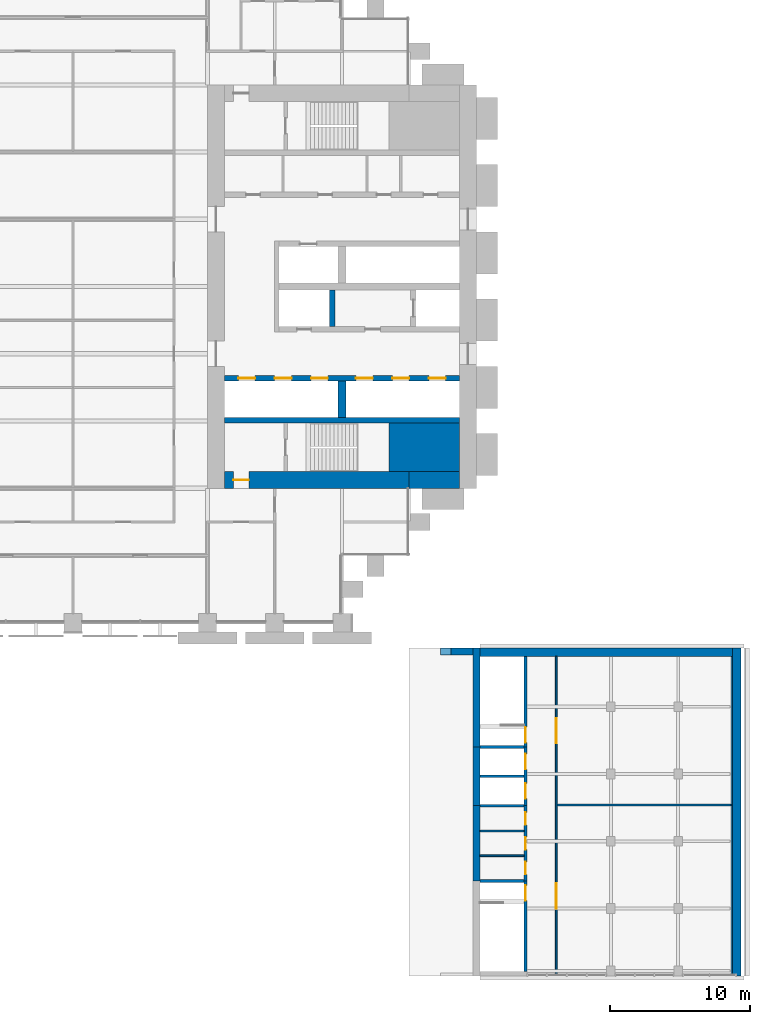
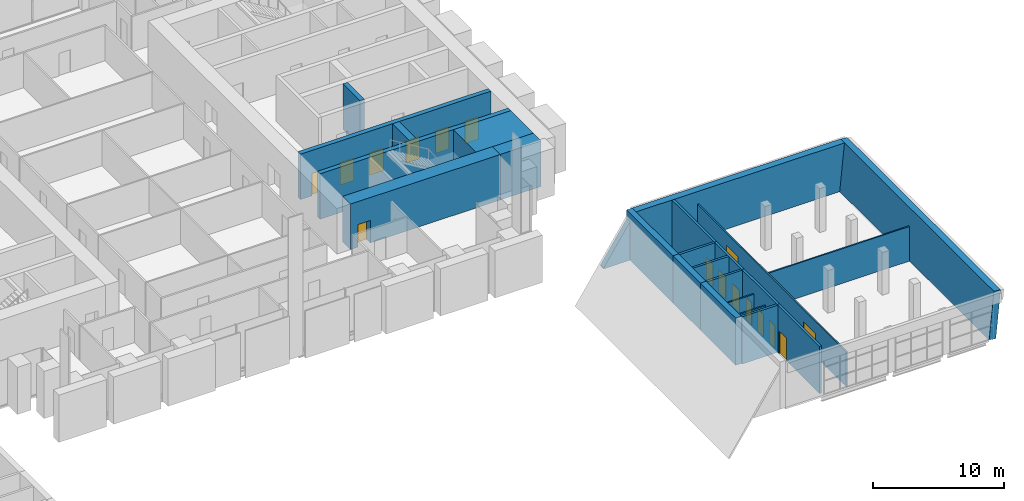
# One storey, part 19 of 22: 25 walls, 16 doors, 16 openings.
"""IFC4 building model written with IfcOpenShell, lengths in metres."""

import ifcopenshell
import ifcopenshell.guid

model = None  # the IFC model being written
_history = None  # IfcOwnerHistory: only IFC2X3 demands one
_inside = {}  # id of a spatial element -> (the spatial element, [elements in it])
_under = {}  # id of a project, library or spatial element -> (it, [spatial elements below it])
_declared = {}  # id of a project -> (the project, [libraries it declares])
_typed = {}  # id of a type object -> (the type object, [elements of that type])
_made_of = {}  # id of a material, layer set ... -> (it, [elements and type objects made of it])


def new_model(schema):
    """Start an empty IFC model of exactly this schema.

    Asked for "IFC4X3", IfcOpenShell would pick the latest addendum, in which some entities
    have other attributes; the version numbers below select the first issue.
    IFC2X3 requires an IfcOwnerHistory on every rooted entity: one is made here for all.
    """
    global model, _history
    if schema == "IFC4X3":
        model = ifcopenshell.file(schema_version=(4, 3, 0, 0))
    else:
        model = ifcopenshell.file(schema=schema)
    _inside.clear()
    _under.clear()
    _declared.clear()
    _typed.clear()
    _made_of.clear()
    _history = None
    if model.schema == "IFC2X3":
        org = make("IfcOrganization", Name="unknown")
        user = make(
            "IfcPersonAndOrganization",
            ThePerson=make("IfcPerson", FamilyName="unknown"),
            TheOrganization=org,
        )
        app = make(
            "IfcApplication",
            ApplicationDeveloper=org,
            Version="unknown",
            ApplicationFullName="unknown",
            ApplicationIdentifier="unknown",
        )
        _history = make(
            "IfcOwnerHistory",
            OwningUser=user,
            OwningApplication=app,
            ChangeAction="ADDED",
            CreationDate=0,
        )
    return model


def make(cls, **values):
    """One entity of the class cls with the attributes given. An attribute that is None is left unset."""
    return model.create_entity(
        cls, **{name: value for name, value in values.items() if value is not None}
    )


def rooted(cls, **values):
    """An entity with a GlobalId (a new one), such as an element, a storey or a relation."""
    return make(cls, GlobalId=ifcopenshell.guid.new(), OwnerHistory=_history, **values)


def si_unit(unit_type, name, prefix=None):
    """IfcSIUnit, for example si_unit("LENGTHUNIT", "METRE", prefix="MILLI")."""
    return make("IfcSIUnit", UnitType=unit_type, Prefix=prefix, Name=name)


def assignment(units):
    """IfcUnitAssignment: the units of a project."""
    return None if units is None else make("IfcUnitAssignment", Units=units)


def point(xyz):
    """IfcCartesianPoint."""
    return None if xyz is None else make("IfcCartesianPoint", Coordinates=xyz)


def direction(xyz):
    """IfcDirection."""
    return None if xyz is None else make("IfcDirection", DirectionRatios=xyz)


def frame(location, z_axis=None, x_axis=None):
    """IfcAxis2Placement3D, a coordinate frame: its origin and axes. An axis left out is left unset."""
    return make(
        "IfcAxis2Placement3D",
        Location=point(location),
        Axis=direction(z_axis),
        RefDirection=direction(x_axis),
    )


def frame_2d(location, x_axis=None):
    """IfcAxis2Placement2D, a coordinate frame in the plane: its origin and x axis."""
    return make(
        "IfcAxis2Placement2D", Location=point(location), RefDirection=direction(x_axis)
    )


def origin():
    """The frame at (0, 0, 0) with its axes left unset."""
    return frame((0.0, 0.0, 0.0))


def place(relative_to, where):
    """IfcLocalPlacement: puts the frame where relative to a parent placement (None: the world)."""
    return make(
        "IfcLocalPlacement", PlacementRelTo=relative_to, RelativePlacement=where
    )


def context(
    kind, dimensions, precision=None, world=None, true_north=None, identifier=None
):
    """IfcGeometricRepresentationContext, for example the 3D "Model" context."""
    return make(
        "IfcGeometricRepresentationContext",
        ContextIdentifier=identifier,
        ContextType=kind,
        CoordinateSpaceDimension=dimensions,
        Precision=precision,
        WorldCoordinateSystem=world,
        TrueNorth=true_north,
    )


def subcontext(parent, identifier, kind, view, scale=None):
    """IfcGeometricRepresentationSubContext, for example "Body" below "Model"."""
    return make(
        "IfcGeometricRepresentationSubContext",
        ContextIdentifier=identifier,
        ContextType=kind,
        ParentContext=parent,
        TargetScale=scale,
        TargetView=view,
    )


def project(units=None, contexts=None):
    """IfcProject with its units and contexts."""
    return rooted(
        "IfcProject",
        Name="project",
        RepresentationContexts=contexts,
        UnitsInContext=assignment(units),
    )


def spatial(cls, under=None, at=None, **own):
    """A site, building, storey or space (cls), placed at a placement, below another one or the project."""
    s = rooted(cls, ObjectPlacement=at, **own)
    if under is not None:
        _under.setdefault(under.id(), (under, []))[1].append(s)
    return s


def polyline(points):
    """IfcPolyline through the points."""
    return make("IfcPolyline", Points=[point(p) for p in points])


def profile(cls, at=None, kind="AREA", **sizes):
    """A parametric profile (cls). Its sizes go by their IFC names, for example OverallWidth=200.0."""
    return make(cls, ProfileType=kind, Position=at, **sizes)


def rectangle(**sizes):
    """IfcRectangleProfileDef."""
    return profile("IfcRectangleProfileDef", **sizes)


def outline(outer, holes=None, kind="AREA"):
    """IfcArbitraryClosedProfileDef: a profile drawn as a closed curve; with holes, ...WithVoids."""
    if holes is None:
        return make("IfcArbitraryClosedProfileDef", ProfileType=kind, OuterCurve=outer)
    return make(
        "IfcArbitraryProfileDefWithVoids",
        ProfileType=kind,
        OuterCurve=outer,
        InnerCurves=holes,
    )


def extrude(swept, where, along, depth):
    """IfcExtrudedAreaSolid: the profile swept, set in the frame where, extruded along a direction by depth."""
    return make(
        "IfcExtrudedAreaSolid",
        SweptArea=swept,
        Position=where,
        ExtrudedDirection=direction(along),
        Depth=depth,
    )


def shape(context_of_items, identifier, shape_type, items):
    """IfcShapeRepresentation: the items that make up one representation, for example the "Body"."""
    return make(
        "IfcShapeRepresentation",
        ContextOfItems=context_of_items,
        RepresentationIdentifier=identifier,
        RepresentationType=shape_type,
        Items=items,
    )


def material(Name=None, Category=None):
    """IfcMaterial."""
    return make("IfcMaterial", Name=Name, Category=Category)


def layer(
    of_material, thickness, ventilated=None, Name=None, Category=None, Priority=None
):
    """IfcMaterialLayer: one layer of a wall or slab, of a material (None: an air gap)."""
    return make(
        "IfcMaterialLayer",
        Material=of_material,
        LayerThickness=thickness,
        IsVentilated=ventilated,
        Name=Name,
        Category=Category,
        Priority=Priority,
    )


def layer_set(layers, Name=None):
    """IfcMaterialLayerSet."""
    return make("IfcMaterialLayerSet", MaterialLayers=layers, LayerSetName=Name)


def made_of(thing, what):
    """Note that an element or type object is made of a material, layer set ...; save() writes the relation."""
    if what is not None:
        _made_of.setdefault(what.id(), (what, []))[1].append(thing)
    return thing


def type_object(cls, material=None, **own):
    """A type object (cls), such as IfcWallType, which elements share."""
    return made_of(rooted(cls, **own), material)


def element(
    cls,
    number,
    at=None,
    inside=None,
    cuts=None,
    type_object=None,
    material=None,
    context=None,
    identifier="Body",
    shape_type=None,
    held_by="IfcProductDefinitionShape",
    body=None,
    shapes=None,
    **own,
):
    """One element of the class cls, such as IfcWall. Its Tag is "e" and its number.

    at: its placement. inside: the storey or other place that contains it. cuts: it is an
    opening in that element (IfcRelVoidsElement). A single representation is given by context,
    identifier, shape_type and body (its items); several are given by shapes. held_by: the class
    of the entity that holds the representations. save() writes the other relations.
    """
    e = rooted(cls, Tag="e%d" % number, ObjectPlacement=at, **own)
    if body is not None:
        shapes = [shape(context, identifier, shape_type, body)]
    if shapes is not None:
        e.Representation = make(held_by, Representations=shapes)
    if inside is not None:
        _inside.setdefault(inside.id(), (inside, []))[1].append(e)
    if cuts is not None:
        rooted(
            "IfcRelVoidsElement", RelatingBuildingElement=cuts, RelatedOpeningElement=e
        )
    if type_object is not None:
        _typed.setdefault(type_object.id(), (type_object, []))[1].append(e)
    return made_of(e, material)


def fill(opening, filler):
    """IfcRelFillsElement: the door or window that sits in an opening."""
    return rooted(
        "IfcRelFillsElement",
        RelatingOpeningElement=opening,
        RelatedBuildingElement=filler,
    )


def aggregate(whole, parts):
    """IfcRelAggregates: a whole, such as a stair, and the parts it consists of."""
    return rooted("IfcRelAggregates", RelatingObject=whole, RelatedObjects=parts)


def save(model, path):
    """Write the relations noted so far, then the file.

    IfcRelAggregates (storeys below a building ...), IfcRelContainedInSpatialStructure (elements
    in a storey), IfcRelDefinesByType, IfcRelAssociatesMaterial and IfcRelDeclares: one each for
    every whole, place, type object, material and project.
    """
    for whole, parts in _under.values():
        aggregate(whole, parts)
    for where, things in _inside.values():
        rooted(
            "IfcRelContainedInSpatialStructure",
            RelatedElements=things,
            RelatingStructure=where,
        )
    for kind, things in _typed.values():
        rooted("IfcRelDefinesByType", RelatedObjects=things, RelatingType=kind)
    for what, things in _made_of.values():
        rooted("IfcRelAssociatesMaterial", RelatedObjects=things, RelatingMaterial=what)
    for by, libraries in _declared.values():
        rooted("IfcRelDeclares", RelatingContext=by, RelatedDefinitions=libraries)
    model.write(path)


model = new_model("IFC4")

# Units and contexts
model_context = context("Model", 3, precision=1e-05, world=origin(), true_north=direction((0.0, 1.0)))
body_context = subcontext(model_context, "Body", "Model", "MODEL_VIEW")
ifc_project = project(units=[si_unit("LENGTHUNIT", "METRE"), si_unit("AREAUNIT", "SQUARE_METRE"), si_unit("VOLUMEUNIT", "CUBIC_METRE"), si_unit("PLANEANGLEUNIT", "RADIAN"), si_unit("MASSUNIT", "GRAM", prefix="KILO")], contexts=[model_context])

# Site, building, storey
site_placement = place(None, origin())
site = spatial("IfcSite", under=ifc_project, at=site_placement, CompositionType="ELEMENT")
building_placement = place(site_placement, origin())
building = spatial("IfcBuilding", under=site, at=building_placement, Name="Baori Bourse Tower", CompositionType="ELEMENT")
storey_placement = place(building_placement, frame((0.0, 0.0, 25.800048828125)))
storey = spatial("IfcBuildingStorey", under=building, at=storey_placement, Name="L04", CompositionType="ELEMENT", Elevation=25.800048828125)

# Walls
ifc_material_1 = material(Name="Concrete f'c 70 MPa", Category="concrete")
wall_type_1 = type_object("IfcWallType", Name="Core corner block f'c 70", PredefinedType="SHEAR", material=ifc_material_1)
wall_1_placement = place(storey_placement, frame((51.35009765625, 12.52490234375, 0.0), z_axis=(0.0, 0.0, 1.0), x_axis=(1.0, 0.0, 0.0)))
element("IfcWall", 1, at=wall_1_placement, inside=storey, type_object=wall_type_1, Name="Core wall E05", PredefinedType="SHEAR", context=body_context, shape_type="SweptSolid", body=[
    extrude(rectangle(XDim=5.0498046875, YDim=3.449951171875, at=frame_2d((2.52490234375, 0.0))), origin(), (0.0, 0.0, 1.0), 4.239990234375),
])
ifc_material_2 = material(Name="Concrete f'c 70 MPa", Category="concrete")
ifc_layer_1 = layer(ifc_material_2, 1.199951171875)
ifc_layer_set_1 = layer_set([ifc_layer_1], Name="Core wall 1200 f'c 70")
wall_type_2 = type_object("IfcWallType", Name="Core wall 1200 f'c 70", PredefinedType="SHEAR", material=ifc_layer_set_1)
wall_2_placement = place(storey_placement, frame((56.39990234375, 10.199951171875, 0.0), z_axis=(0.0, 0.0, 1.0), x_axis=(-1.0, 0.0, 0.0)))
element("IfcWall", 2, at=wall_2_placement, inside=storey, type_object=wall_type_2, Name="Core wall E02", PredefinedType="SHEAR", context=body_context, shape_type="SweptSolid", body=[
    extrude(rectangle(XDim=3.599853515625, YDim=1.199951171875, at=frame_2d((1.7998046875, 0.0))), origin(), (0.0, 0.0, 1.0), 4.239990234375),
])

# Wall, opening, door
wall_3_placement = place(storey_placement, frame((52.800048828125, 10.199951171875, 0.0), z_axis=(0.0, 0.0, 1.0), x_axis=(-1.0, 0.0, 0.0)))
wall_3 = element("IfcWall", 3, at=wall_3_placement, inside=storey, type_object=wall_type_2, Name="Core wall E03", PredefinedType="SHEAR", context=body_context, shape_type="SweptSolid", body=[
    extrude(rectangle(XDim=13.199951171875, YDim=1.199951171875, at=frame_2d((6.60009765625, 0.0))), origin(), (0.0, 0.0, 1.0), 4.239990234375),
])
opening_1_placement = place(wall_3_placement, frame((11.449951171875, 0.0, 0.0)))
opening_1 = element("IfcOpeningElement", 4, at=opening_1_placement, cuts=wall_3, Name="Opening L04-D202", PredefinedType="OPENING", context=body_context, shape_type="SweptSolid", body=[
    extrude(rectangle(XDim=1.10009765625, YDim=2.10009765625, at=frame_2d((0.550048828125, 1.050048828125))), frame((0.0, 0.60986328125, 0.0), z_axis=(0.0, -1.0, 0.0), x_axis=(1.0, 0.0, 0.0)), (0.0, 0.0, 1.0), 1.219970703125),
])
ifc_material_3 = material(Name="Painted steel door", Category="steel")
door_type_1 = type_object("IfcDoorType", Name="Stair door 1100", OperationType="SINGLE_SWING_LEFT", PredefinedType="DOOR", material=ifc_material_3)
door_1_placement = place(opening_1_placement, origin())
door_1 = element("IfcDoor", 5, at=door_1_placement, inside=storey, type_object=door_type_1, Name="Stair vestibule door A E L04", OperationType="SINGLE_SWING_LEFT", OverallHeight=2.10009765625, OverallWidth=1.10009765625, PredefinedType="DOOR", context=body_context, shape_type="SweptSolid", body=[
    extrude(rectangle(XDim=1.10009765625, YDim=2.10009765625, at=frame_2d((0.550048828125, 1.050048828125))), frame((0.0, 0.02490234375, 0.0), z_axis=(0.0, -1.0, 0.0), x_axis=(1.0, 0.0, 0.0)), (0.0, 0.0, 1.0), 0.050048828125),
])
fill(opening_1, door_1)

# Walls
ifc_material_4 = material(Name="Concrete f'c 50 MPa", Category="concrete")
ifc_layer_2 = layer(ifc_material_4, 0.5)
ifc_layer_set_2 = layer_set([ifc_layer_2], Name="Hall end wall 500")
wall_type_3 = type_object("IfcWallType", Name="Hall end wall 500", PredefinedType="SOLIDWALL", material=ifc_layer_set_2)
wall_4_placement = place(storey_placement, frame((57.60009765625, -1.800048828125, 0.0), z_axis=(0.0, 0.0, 1.0), x_axis=(0.0, -1.0, 0.0)))
element("IfcWall", 6, at=wall_4_placement, inside=storey, type_object=wall_type_3, Name="wing/L04/Ehallwall/001", PredefinedType="SOLIDWALL", context=body_context, shape_type="SweptSolid", body=[
    extrude(rectangle(XDim=7.06005859375, YDim=0.5, at=frame_2d((3.530029296875, 0.0))), origin(), (0.0, 0.0, 1.0), 4.39990234375),
])
wall_5_placement = place(storey_placement, frame((57.60009765625, -8.860107421875, 0.0), z_axis=(0.0, 0.0, 1.0), x_axis=(0.0, -1.0, 0.0)))
element("IfcWall", 7, at=wall_5_placement, inside=storey, type_object=wall_type_3, Name="wing/L04/Ehallwall/002", PredefinedType="SOLIDWALL", context=body_context, shape_type="SweptSolid", body=[
    extrude(rectangle(XDim=4.199951171875, YDim=0.5, at=frame_2d((2.10009765625, 0.0))), origin(), (0.0, 0.0, 1.0), 4.39990234375),
])
wall_6_placement = place(storey_placement, frame((57.60009765625, -13.06005859375, 0.0), z_axis=(0.0, 0.0, 1.0), x_axis=(0.0, -1.0, 0.0)))
element("IfcWall", 8, at=wall_6_placement, inside=storey, type_object=wall_type_3, Name="wing/L04/Ehallwall/003", PredefinedType="SOLIDWALL", context=body_context, shape_type="SweptSolid", body=[
    extrude(rectangle(XDim=5.3798828125, YDim=0.5, at=frame_2d((2.68994140625, 0.0))), origin(), (0.0, 0.0, 1.0), 4.39990234375),
])
ifc_material_5 = material(Name="Concrete f'c 50 MPa", Category="concrete")
ifc_layer_3 = layer(ifc_material_5, 0.5)
ifc_layer_set_3 = layer_set([ifc_layer_3], Name="Hall north wall 500")
wall_type_4 = type_object("IfcWallType", Name="Hall north wall 500", PredefinedType="SOLIDWALL", material=ifc_layer_set_3)
wall_7_placement = place(storey_placement, frame((55.0390625, -2.050048828125, 0.0), z_axis=(0.0, 0.0, 1.0), x_axis=(1.0, 0.0, 0.0)))
element("IfcWall", 9, at=wall_7_placement, inside=storey, type_object=wall_type_4, Name="wing/L04/hallnorth/002", PredefinedType="SOLIDWALL", context=body_context, shape_type="SweptSolid", body=[
    extrude(outline(polyline([(0.0, 0.0), (2.31103515625, 0.0), (2.31103515625, 3.578369140625), (0.0, 0.099853515625), (0.0, 0.0)])), frame((0.0, 0.25, 0.0), z_axis=(0.0, -1.0, 0.0), x_axis=(1.0, 0.0, 0.0)), (0.0, 0.0, 1.0), 0.5),
])
ifc_material_6 = material(Name="Concrete f'c 50 MPa", Category="concrete")
ifc_layer_4 = layer(ifc_material_6, 0.60009765625)
ifc_layer_set_4 = layer_set([ifc_layer_4], Name="Leaning end wall 600")
wall_type_5 = type_object("IfcWallType", Name="Leaning end wall 600", PredefinedType="SOLIDWALL", material=ifc_layer_set_4)
wall_8_placement = place(storey_placement, frame((75.7734375, -25.199951171875, 0.0), z_axis=(-0.995392620953, 0.0, 0.095882898123), x_axis=(0.0, 1.0, 0.0)))
element("IfcWall", 10, at=wall_8_placement, inside=storey, type_object=wall_type_5, Name="wing/L04/Eleanwall/001", PredefinedType="SOLIDWALL", context=body_context, shape_type="SweptSolid", body=[
    extrude(outline(polyline([(0.0, 0.0), (23.39990234375, 0.0), (23.39990234375, -4.42026819481327), (0.0, -4.42026819481327), (0.0, 0.0)])), origin(), (0.0, 0.0, -1.0), 0.60009765625),
])

# Wall, opening, door
ifc_material_7 = material(Name="Concrete f'c 50 MPa", Category="concrete")
ifc_layer_5 = layer(ifc_material_7, 0.199951171875)
ifc_layer_set_5 = layer_set([ifc_layer_5], Name="Shaft wall 200")
wall_type_6 = type_object("IfcWallType", Name="Shaft wall 200", PredefinedType="SOLIDWALL", material=ifc_layer_set_5)
wall_9_placement = place(storey_placement, frame((61.10009765625, -2.39990234375, 0.0), z_axis=(0.0, 0.0, 1.0), x_axis=(0.0, -1.0, 0.0)))
wall_9 = element("IfcWall", 11, at=wall_9_placement, inside=storey, type_object=wall_type_6, Name="wing/L04/EcorrwallE/001", PredefinedType="SOLIDWALL", context=body_context, shape_type="SweptSolid", body=[
    extrude(rectangle(XDim=6.460205078125, YDim=0.199951171875, at=frame_2d((3.22998046875, 0.0))), origin(), (0.0, 0.0, 1.0), 4.39990234375),
])
opening_2_placement = place(wall_9_placement, frame((5.050048828125, 0.0, 0.0)))
opening_2 = element("IfcOpeningElement", 12, at=opening_2_placement, cuts=wall_9, Name="Opening WGE-L04-01", PredefinedType="OPENING", context=body_context, shape_type="SweptSolid", body=[
    extrude(rectangle(XDim=1.10009765625, YDim=2.10009765625, at=frame_2d((0.550048828125, 1.050048828125))), frame((0.0, 0.10986328125, 0.0), z_axis=(0.0, -1.0, 0.0), x_axis=(1.0, 0.0, 0.0)), (0.0, 0.0, 1.0), 0.219970703125),
])
ifc_material_8 = material(Name="Steel fire door", Category="steel")
door_type_2 = type_object("IfcDoorType", Name="Wing stair door 1100", OperationType="SINGLE_SWING_LEFT", PredefinedType="DOOR", material=ifc_material_8)
door_2_placement = place(opening_2_placement, origin())
door_2 = element("IfcDoor", 13, at=door_2_placement, inside=storey, type_object=door_type_2, Name="WGE-L04-01", OperationType="SINGLE_SWING_LEFT", OverallHeight=2.10009765625, OverallWidth=1.10009765625, PredefinedType="DOOR", context=body_context, shape_type="SweptSolid", body=[
    extrude(rectangle(XDim=1.10009765625, YDim=2.10009765625, at=frame_2d((0.550048828125, 1.050048828125))), frame((0.0, 0.02490234375, 0.0), z_axis=(0.0, -1.0, 0.0), x_axis=(1.0, 0.0, 0.0)), (0.0, 0.0, 1.0), 0.050048828125),
])
fill(opening_2, door_2)

# Wall, openings, doors
wall_10_placement = place(storey_placement, frame((61.10009765625, -8.860107421875, 0.0), z_axis=(0.0, 0.0, 1.0), x_axis=(0.0, -1.0, 0.0)))
wall_10 = element("IfcWall", 14, at=wall_10_placement, inside=storey, type_object=wall_type_6, Name="wing/L04/EcorrwallE/002", PredefinedType="SOLIDWALL", context=body_context, shape_type="SweptSolid", body=[
    extrude(rectangle(XDim=4.199951171875, YDim=0.199951171875, at=frame_2d((2.10009765625, 0.0))), origin(), (0.0, 0.0, 1.0), 4.39990234375),
])
opening_3_placement = place(wall_10_placement, frame((0.5, 0.0, 0.0)))
opening_3 = element("IfcOpeningElement", 15, at=opening_3_placement, cuts=wall_10, Name="Opening LD-E-L04-P", PredefinedType="OPENING", context=body_context, shape_type="SweptSolid", body=[
    extrude(rectangle(XDim=1.10009765625, YDim=2.10009765625, at=frame_2d((0.550048828125, 1.050048828125))), frame((0.0, 0.10986328125, 0.0), z_axis=(0.0, -1.0, 0.0), x_axis=(1.0, 0.0, 0.0)), (0.0, 0.0, 1.0), 0.219970703125),
])
opening_4_placement = place(wall_10_placement, frame((2.60009765625, 0.0, 0.0)))
opening_4 = element("IfcOpeningElement", 16, at=opening_4_placement, cuts=wall_10, Name="Opening LD-E-L04-S", PredefinedType="OPENING", context=body_context, shape_type="SweptSolid", body=[
    extrude(rectangle(XDim=1.10009765625, YDim=2.10009765625, at=frame_2d((0.550048828125, 1.050048828125))), frame((0.0, 0.10986328125, 0.0), z_axis=(0.0, -1.0, 0.0), x_axis=(1.0, 0.0, 0.0)), (0.0, 0.0, 1.0), 0.219970703125),
])
ifc_material_9 = material(Name="Stainless steel door", Category="steel")
door_type_3 = type_object("IfcDoorType", Name="Lift landing door 1100", OperationType="SLIDING_TO_LEFT", PredefinedType="DOOR", material=ifc_material_9)
door_3_placement = place(opening_3_placement, origin())
door_3 = element("IfcDoor", 17, at=door_3_placement, inside=storey, type_object=door_type_3, Name="LD-E-L04-P", OperationType="SLIDING_TO_LEFT", OverallHeight=2.10009765625, OverallWidth=1.10009765625, PredefinedType="DOOR", context=body_context, shape_type="SweptSolid", body=[
    extrude(rectangle(XDim=1.10009765625, YDim=2.10009765625, at=frame_2d((0.550048828125, 1.050048828125))), frame((0.0, 0.02490234375, 0.0), z_axis=(0.0, -1.0, 0.0), x_axis=(1.0, 0.0, 0.0)), (0.0, 0.0, 1.0), 0.050048828125),
])
fill(opening_3, door_3)
door_4_placement = place(opening_4_placement, origin())
door_4 = element("IfcDoor", 18, at=door_4_placement, inside=storey, type_object=door_type_3, Name="LD-E-L04-S", OperationType="SLIDING_TO_LEFT", OverallHeight=2.10009765625, OverallWidth=1.10009765625, PredefinedType="DOOR", context=body_context, shape_type="SweptSolid", body=[
    extrude(rectangle(XDim=1.10009765625, YDim=2.10009765625, at=frame_2d((0.550048828125, 1.050048828125))), frame((0.0, 0.02490234375, 0.0), z_axis=(0.0, -1.0, 0.0), x_axis=(1.0, 0.0, 0.0)), (0.0, 0.0, 1.0), 0.050048828125),
])
fill(opening_4, door_4)

wall_11_placement = place(storey_placement, frame((61.10009765625, -13.06005859375, 0.0), z_axis=(0.0, 0.0, 1.0), x_axis=(0.0, -1.0, 0.0)))
wall_11 = element("IfcWall", 19, at=wall_11_placement, inside=storey, type_object=wall_type_6, Name="wing/L04/EcorrwallE/003", PredefinedType="SOLIDWALL", context=body_context, shape_type="SweptSolid", body=[
    extrude(rectangle(XDim=5.3798828125, YDim=0.199951171875, at=frame_2d((2.68994140625, 0.0))), origin(), (0.0, 0.0, 1.0), 4.39990234375),
])
opening_5_placement = place(wall_11_placement, frame((0.4716796875, 0.0, 0.0)))
opening_5 = element("IfcOpeningElement", 20, at=opening_5_placement, cuts=wall_11, Name="Opening WGE-L04-05", PredefinedType="OPENING", context=body_context, shape_type="SweptSolid", body=[
    extrude(rectangle(XDim=0.89990234375, YDim=2.10009765625, at=frame_2d((0.449951171875, 1.050048828125))), frame((0.0, 0.10986328125, 0.0), z_axis=(0.0, -1.0, 0.0), x_axis=(1.0, 0.0, 0.0)), (0.0, 0.0, 1.0), 0.219970703125),
])
opening_6_placement = place(wall_11_placement, frame((2.239990234375, 0.0, 0.0)))
opening_6 = element("IfcOpeningElement", 21, at=opening_6_placement, cuts=wall_11, Name="Opening WGE-L04-06", PredefinedType="OPENING", context=body_context, shape_type="SweptSolid", body=[
    extrude(rectangle(XDim=0.89990234375, YDim=2.10009765625, at=frame_2d((0.449951171875, 1.050048828125))), frame((0.0, 0.10986328125, 0.0), z_axis=(0.0, -1.0, 0.0), x_axis=(1.0, 0.0, 0.0)), (0.0, 0.0, 1.0), 0.219970703125),
])
opening_7_placement = place(wall_11_placement, frame((4.00830078125, 0.0, 0.0)))
opening_7 = element("IfcOpeningElement", 22, at=opening_7_placement, cuts=wall_11, Name="Opening WGE-L04-07", PredefinedType="OPENING", context=body_context, shape_type="SweptSolid", body=[
    extrude(rectangle(XDim=0.89990234375, YDim=2.10009765625, at=frame_2d((0.449951171875, 1.050048828125))), frame((0.0, 0.10986328125, 0.0), z_axis=(0.0, -1.0, 0.0), x_axis=(1.0, 0.0, 0.0)), (0.0, 0.0, 1.0), 0.219970703125),
])
ifc_material_10 = material(Name="Timber door", Category="wood")
door_type_4 = type_object("IfcDoorType", Name="Wing toilet door 900x2100", OperationType="SINGLE_SWING_LEFT", PredefinedType="DOOR", material=ifc_material_10)
door_5_placement = place(opening_5_placement, origin())
door_5 = element("IfcDoor", 23, at=door_5_placement, inside=storey, type_object=door_type_4, Name="WGE-L04-05", OperationType="SINGLE_SWING_LEFT", OverallHeight=2.10009765625, OverallWidth=0.89990234375, PredefinedType="DOOR", context=body_context, shape_type="SweptSolid", body=[
    extrude(rectangle(XDim=0.89990234375, YDim=2.10009765625, at=frame_2d((0.449951171875, 1.050048828125))), frame((0.0, 0.02490234375, 0.0), z_axis=(0.0, -1.0, 0.0), x_axis=(1.0, 0.0, 0.0)), (0.0, 0.0, 1.0), 0.050048828125),
])
fill(opening_5, door_5)
door_6_placement = place(opening_6_placement, origin())
door_6 = element("IfcDoor", 24, at=door_6_placement, inside=storey, type_object=door_type_4, Name="WGE-L04-06", OperationType="SINGLE_SWING_LEFT", OverallHeight=2.10009765625, OverallWidth=0.89990234375, PredefinedType="DOOR", context=body_context, shape_type="SweptSolid", body=[
    extrude(rectangle(XDim=0.89990234375, YDim=2.10009765625, at=frame_2d((0.449951171875, 1.050048828125))), frame((0.0, 0.02490234375, 0.0), z_axis=(0.0, -1.0, 0.0), x_axis=(1.0, 0.0, 0.0)), (0.0, 0.0, 1.0), 0.050048828125),
])
fill(opening_6, door_6)
door_7_placement = place(opening_7_placement, origin())
door_7 = element("IfcDoor", 25, at=door_7_placement, inside=storey, type_object=door_type_4, Name="WGE-L04-07", OperationType="SINGLE_SWING_LEFT", OverallHeight=2.10009765625, OverallWidth=0.89990234375, PredefinedType="DOOR", context=body_context, shape_type="SweptSolid", body=[
    extrude(rectangle(XDim=0.89990234375, YDim=2.10009765625, at=frame_2d((0.449951171875, 1.050048828125))), frame((0.0, 0.02490234375, 0.0), z_axis=(0.0, -1.0, 0.0), x_axis=(1.0, 0.0, 0.0)), (0.0, 0.0, 1.0), 0.050048828125),
])
fill(opening_7, door_7)

# Wall, opening, door
wall_12_placement = place(storey_placement, frame((61.10009765625, -18.43994140625, 0.0), z_axis=(0.0, 0.0, 1.0), x_axis=(0.0, -1.0, 0.0)))
wall_12 = element("IfcWall", 26, at=wall_12_placement, inside=storey, type_object=wall_type_6, Name="wing/L04/EcorrwallE/004", PredefinedType="SOLIDWALL", context=body_context, shape_type="SweptSolid", body=[
    extrude(rectangle(XDim=6.4599609375, YDim=0.199951171875, at=frame_2d((3.22998046875, 0.0))), origin(), (0.0, 0.0, 1.0), 4.39990234375),
])
opening_8_placement = place(wall_12_placement, frame((0.300048828125, 0.0, 0.0)))
opening_8 = element("IfcOpeningElement", 27, at=opening_8_placement, cuts=wall_12, Name="Opening WGE-L04-02", PredefinedType="OPENING", context=body_context, shape_type="SweptSolid", body=[
    extrude(rectangle(XDim=1.10009765625, YDim=2.10009765625, at=frame_2d((0.550048828125, 1.050048828125))), frame((0.0, 0.10986328125, 0.0), z_axis=(0.0, -1.0, 0.0), x_axis=(1.0, 0.0, 0.0)), (0.0, 0.0, 1.0), 0.219970703125),
])
door_8_placement = place(opening_8_placement, origin())
door_8 = element("IfcDoor", 28, at=door_8_placement, inside=storey, type_object=door_type_2, Name="WGE-L04-02", OperationType="SINGLE_SWING_LEFT", OverallHeight=2.10009765625, OverallWidth=1.10009765625, PredefinedType="DOOR", context=body_context, shape_type="SweptSolid", body=[
    extrude(rectangle(XDim=1.10009765625, YDim=2.10009765625, at=frame_2d((0.550048828125, 1.050048828125))), frame((0.0, 0.02490234375, 0.0), z_axis=(0.0, -1.0, 0.0), x_axis=(1.0, 0.0, 0.0)), (0.0, 0.0, 1.0), 0.050048828125),
])
fill(opening_8, door_8)

# Walls
for number, where, z_axis, x_axis, name in (
    (29, (61.0, -8.860107421875, 0.0), (0.0, 0.0, 1.0), (-1.0, 0.0, 0.0), "wing/L04/Eshaftwall/001"),
    (30, (61.0, -10.9599609375, 0.0), (0.0, 0.0, 1.0), (-1.0, 0.0, 0.0), "wing/L04/Eshaftwall/002"),
    (31, (61.0, -13.06005859375, 0.0), (0.0, 0.0, 1.0), (-1.0, 0.0, 0.0), "wing/L04/Eshaftwall/003"),
    (32, (61.0, -18.43994140625, 0.0), (0.0, 0.0, 1.0), (-1.0, 0.0, 0.0), "wing/L04/Eshaftwall/004"),
):
    element("IfcWall", number, at=place(storey_placement, frame(where, z_axis=z_axis, x_axis=x_axis)), inside=storey, type_object=wall_type_6, Name=name, PredefinedType="SOLIDWALL", context=body_context, shape_type="SweptSolid", body=[
        extrude(rectangle(XDim=3.14990234375, YDim=0.199951171875, at=frame_2d((1.574951171875, 0.0))), origin(), (0.0, 0.0, 1.0), 4.39990234375),
    ])
ifc_material_11 = material(Name="Concrete f'c 70 MPa", Category="concrete")
ifc_layer_6 = layer(ifc_material_11, 0.39990234375)
ifc_layer_set_6 = layer_set([ifc_layer_6], Name="Shaft wall 400 f'c 70")
wall_type_7 = type_object("IfcWallType", Name="Shaft wall 400 f'c 70", PredefinedType="SHEAR", material=ifc_layer_set_6)
wall_13_placement = place(storey_placement, frame((39.60009765625, 14.449951171875, 0.0), z_axis=(0.0, 0.0, 1.0), x_axis=(1.0, 0.0, 0.0)))
element("IfcWall", 33, at=wall_13_placement, inside=storey, type_object=wall_type_7, Name="Core wall E07", PredefinedType="SHEAR", context=body_context, shape_type="SweptSolid", body=[
    extrude(rectangle(XDim=16.7998046875, YDim=0.39990234375, at=frame_2d((8.39990234375, 0.0))), origin(), (0.0, 0.0, 1.0), 4.239990234375),
])

# Wall, openings, doors
wall_14_placement = place(storey_placement, frame((39.60009765625, 17.449951171875, 0.0), z_axis=(0.0, 0.0, 1.0), x_axis=(1.0, 0.0, 0.0)))
wall_14 = element("IfcWall", 34, at=wall_14_placement, inside=storey, type_object=wall_type_7, Name="Core wall E09", PredefinedType="SHEAR", context=body_context, shape_type="SweptSolid", body=[
    extrude(rectangle(XDim=16.7998046875, YDim=0.39990234375, at=frame_2d((8.39990234375, 0.0))), origin(), (0.0, 0.0, 1.0), 4.239990234375),
])
opening_9_placement = place(wall_14_placement, frame((14.60009765625, 0.0, 0.0)))
opening_9 = element("IfcOpeningElement", 35, at=opening_9_placement, cuts=wall_14, Name="Opening L04-D213", PredefinedType="OPENING", context=body_context, shape_type="SweptSolid", body=[
    extrude(rectangle(XDim=1.199951171875, YDim=2.10009765625, at=frame_2d((0.60009765625, 1.050048828125))), frame((0.0, 0.2099609375, 0.0), z_axis=(0.0, -1.0, 0.0), x_axis=(1.0, 0.0, 0.0)), (0.0, 0.0, 1.0), 0.419921875),
])
opening_10_placement = place(wall_14_placement, frame((12.0, 0.0, 0.0)))
opening_10 = element("IfcOpeningElement", 36, at=opening_10_placement, cuts=wall_14, Name="Opening L04-D214", PredefinedType="OPENING", context=body_context, shape_type="SweptSolid", body=[
    extrude(rectangle(XDim=1.199951171875, YDim=2.10009765625, at=frame_2d((0.60009765625, 1.050048828125))), frame((0.0, 0.2099609375, 0.0), z_axis=(0.0, -1.0, 0.0), x_axis=(1.0, 0.0, 0.0)), (0.0, 0.0, 1.0), 0.419921875),
])
opening_11_placement = place(wall_14_placement, frame((9.39990234375, 0.0, 0.0)))
opening_11 = element("IfcOpeningElement", 37, at=opening_11_placement, cuts=wall_14, Name="Opening L04-D215", PredefinedType="OPENING", context=body_context, shape_type="SweptSolid", body=[
    extrude(rectangle(XDim=1.199951171875, YDim=2.10009765625, at=frame_2d((0.60009765625, 1.050048828125))), frame((0.0, 0.2099609375, 0.0), z_axis=(0.0, -1.0, 0.0), x_axis=(1.0, 0.0, 0.0)), (0.0, 0.0, 1.0), 0.419921875),
])
opening_12_placement = place(wall_14_placement, frame((6.199951171875, 0.0, 0.0)))
opening_12 = element("IfcOpeningElement", 38, at=opening_12_placement, cuts=wall_14, Name="Opening L04-D216", PredefinedType="OPENING", context=body_context, shape_type="SweptSolid", body=[
    extrude(rectangle(XDim=1.199951171875, YDim=2.10009765625, at=frame_2d((0.60009765625, 1.050048828125))), frame((0.0, 0.2099609375, 0.0), z_axis=(0.0, -1.0, 0.0), x_axis=(1.0, 0.0, 0.0)), (0.0, 0.0, 1.0), 0.419921875),
])
opening_13_placement = place(wall_14_placement, frame((3.60009765625, 0.0, 0.0)))
opening_13 = element("IfcOpeningElement", 39, at=opening_13_placement, cuts=wall_14, Name="Opening L04-D217", PredefinedType="OPENING", context=body_context, shape_type="SweptSolid", body=[
    extrude(rectangle(XDim=1.199951171875, YDim=2.10009765625, at=frame_2d((0.60009765625, 1.050048828125))), frame((0.0, 0.2099609375, 0.0), z_axis=(0.0, -1.0, 0.0), x_axis=(1.0, 0.0, 0.0)), (0.0, 0.0, 1.0), 0.419921875),
])
opening_14_placement = place(wall_14_placement, frame((1.0, 0.0, 0.0)))
opening_14 = element("IfcOpeningElement", 40, at=opening_14_placement, cuts=wall_14, Name="Opening L04-D218", PredefinedType="OPENING", context=body_context, shape_type="SweptSolid", body=[
    extrude(rectangle(XDim=1.199951171875, YDim=2.10009765625, at=frame_2d((0.60009765625, 1.050048828125))), frame((0.0, 0.2099609375, 0.0), z_axis=(0.0, -1.0, 0.0), x_axis=(1.0, 0.0, 0.0)), (0.0, 0.0, 1.0), 0.419921875),
])
ifc_material_12 = material(Name="Stainless steel door", Category="steel")
door_type_5 = type_object("IfcDoorType", Name="Lift landing door", OperationType="DOUBLE_DOOR_SLIDING", PredefinedType="DOOR", material=ifc_material_12)
door_9_placement = place(opening_9_placement, origin())
door_9 = element("IfcDoor", 41, at=door_9_placement, inside=storey, type_object=door_type_5, Name="Lift landing door LR1 E L04", OperationType="DOUBLE_DOOR_SLIDING", OverallHeight=2.10009765625, OverallWidth=1.199951171875, PredefinedType="DOOR", context=body_context, shape_type="SweptSolid", body=[
    extrude(rectangle(XDim=1.199951171875, YDim=2.10009765625, at=frame_2d((0.60009765625, 1.050048828125))), frame((0.0, 0.02490234375, 0.0), z_axis=(0.0, -1.0, 0.0), x_axis=(1.0, 0.0, 0.0)), (0.0, 0.0, 1.0), 0.050048828125),
])
fill(opening_9, door_9)
door_10_placement = place(opening_10_placement, origin())
door_10 = element("IfcDoor", 42, at=door_10_placement, inside=storey, type_object=door_type_5, Name="Lift landing door LR2 E L04", OperationType="DOUBLE_DOOR_SLIDING", OverallHeight=2.10009765625, OverallWidth=1.199951171875, PredefinedType="DOOR", context=body_context, shape_type="SweptSolid", body=[
    extrude(rectangle(XDim=1.199951171875, YDim=2.10009765625, at=frame_2d((0.60009765625, 1.050048828125))), frame((0.0, 0.02490234375, 0.0), z_axis=(0.0, -1.0, 0.0), x_axis=(1.0, 0.0, 0.0)), (0.0, 0.0, 1.0), 0.050048828125),
])
fill(opening_10, door_10)
door_11_placement = place(opening_11_placement, origin())
door_11 = element("IfcDoor", 43, at=door_11_placement, inside=storey, type_object=door_type_5, Name="Lift landing door LR3 E L04", OperationType="DOUBLE_DOOR_SLIDING", OverallHeight=2.10009765625, OverallWidth=1.199951171875, PredefinedType="DOOR", context=body_context, shape_type="SweptSolid", body=[
    extrude(rectangle(XDim=1.199951171875, YDim=2.10009765625, at=frame_2d((0.60009765625, 1.050048828125))), frame((0.0, 0.02490234375, 0.0), z_axis=(0.0, -1.0, 0.0), x_axis=(1.0, 0.0, 0.0)), (0.0, 0.0, 1.0), 0.050048828125),
])
fill(opening_11, door_11)
door_12_placement = place(opening_12_placement, origin())
door_12 = element("IfcDoor", 44, at=door_12_placement, inside=storey, type_object=door_type_5, Name="Lift landing door LR4 E L04", OperationType="DOUBLE_DOOR_SLIDING", OverallHeight=2.10009765625, OverallWidth=1.199951171875, PredefinedType="DOOR", context=body_context, shape_type="SweptSolid", body=[
    extrude(rectangle(XDim=1.199951171875, YDim=2.10009765625, at=frame_2d((0.60009765625, 1.050048828125))), frame((0.0, 0.02490234375, 0.0), z_axis=(0.0, -1.0, 0.0), x_axis=(1.0, 0.0, 0.0)), (0.0, 0.0, 1.0), 0.050048828125),
])
fill(opening_12, door_12)
door_13_placement = place(opening_13_placement, origin())
door_13 = element("IfcDoor", 45, at=door_13_placement, inside=storey, type_object=door_type_5, Name="Lift landing door LR5 E L04", OperationType="DOUBLE_DOOR_SLIDING", OverallHeight=2.10009765625, OverallWidth=1.199951171875, PredefinedType="DOOR", context=body_context, shape_type="SweptSolid", body=[
    extrude(rectangle(XDim=1.199951171875, YDim=2.10009765625, at=frame_2d((0.60009765625, 1.050048828125))), frame((0.0, 0.02490234375, 0.0), z_axis=(0.0, -1.0, 0.0), x_axis=(1.0, 0.0, 0.0)), (0.0, 0.0, 1.0), 0.050048828125),
])
fill(opening_13, door_13)
door_14_placement = place(opening_14_placement, origin())
door_14 = element("IfcDoor", 46, at=door_14_placement, inside=storey, type_object=door_type_5, Name="Lift landing door LR6 E L04", OperationType="DOUBLE_DOOR_SLIDING", OverallHeight=2.10009765625, OverallWidth=1.199951171875, PredefinedType="DOOR", context=body_context, shape_type="SweptSolid", body=[
    extrude(rectangle(XDim=1.199951171875, YDim=2.10009765625, at=frame_2d((0.60009765625, 1.050048828125))), frame((0.0, 0.02490234375, 0.0), z_axis=(0.0, -1.0, 0.0), x_axis=(1.0, 0.0, 0.0)), (0.0, 0.0, 1.0), 0.050048828125),
])
fill(opening_14, door_14)

# Walls
wall_15_placement = place(storey_placement, frame((47.300048828125, 21.14990234375, 0.0), z_axis=(0.0, 0.0, 1.0), x_axis=(0.0, 1.0, 0.0)))
element("IfcWall", 47, at=wall_15_placement, inside=storey, type_object=wall_type_7, Name="Core wall E13", PredefinedType="SHEAR", context=body_context, shape_type="SweptSolid", body=[
    extrude(rectangle(XDim=2.60009765625, YDim=0.39990234375, at=frame_2d((1.300048828125, 0.0))), origin(), (0.0, 0.0, 1.0), 4.239990234375),
])
ifc_material_13 = material(Name="Concrete f'c 70 MPa", Category="concrete")
ifc_layer_7 = layer(ifc_material_13, 0.60009765625)
ifc_layer_set_7 = layer_set([ifc_layer_7], Name="Shaft wall 600 f'c 70")
wall_type_8 = type_object("IfcWallType", Name="Shaft wall 600 f'c 70", PredefinedType="SHEAR", material=ifc_layer_set_7)
wall_16_placement = place(storey_placement, frame((48.0, 14.64990234375, 0.0), z_axis=(0.0, 0.0, 1.0), x_axis=(0.0, 1.0, 0.0)))
element("IfcWall", 48, at=wall_16_placement, inside=storey, type_object=wall_type_8, Name="Core wall E08", PredefinedType="SHEAR", context=body_context, shape_type="SweptSolid", body=[
    extrude(rectangle(XDim=2.60009765625, YDim=0.60009765625, at=frame_2d((1.300048828125, 0.0))), origin(), (0.0, 0.0, 1.0), 4.239990234375),
])
ifc_material_14 = material(Name="Concrete f'c 50 MPa", Category="concrete")
ifc_layer_8 = layer(ifc_material_14, 0.60009765625)
ifc_layer_set_8 = layer_set([ifc_layer_8], Name="Wing north wall 600")
wall_type_9 = type_object("IfcWallType", Name="Wing north wall 600", PredefinedType="SOLIDWALL", material=ifc_layer_set_8)
wall_17_placement = place(storey_placement, frame((57.85009765625, -2.10009765625, 0.0), z_axis=(0.0, 0.0, 1.0), x_axis=(1.0, 0.0, 0.0)))
element("IfcWall", 49, at=wall_17_placement, inside=storey, type_object=wall_type_9, Name="wing/L04/Enorthwall/001", PredefinedType="SOLIDWALL", context=body_context, shape_type="SweptSolid", body=[
    extrude(outline(polyline([(0.0, 0.0), (17.92333984375, 0.0), (18.34765625, 4.40380859375), (0.0, 4.40380859375), (0.0, 0.0)])), frame((0.0, 0.300048828125, 0.0), z_axis=(0.0, -1.0, 0.0), x_axis=(1.0, 0.0, 0.0)), (0.0, 0.0, 1.0), 0.60009765625),
])

# Wall, openings, doors
ifc_material_15 = material(Name="Gypsum board partition")
ifc_layer_9 = layer(ifc_material_15, 0.125)
ifc_layer_set_9 = layer_set([ifc_layer_9], Name="Wing partition 125")
wall_type_10 = type_object("IfcWallType", Name="Wing partition 125", PredefinedType="PARTITIONING", material=ifc_layer_set_9)
wall_18_placement = place(storey_placement, frame((63.300048828125, -25.10009765625, 0.0), z_axis=(0.0, 0.0, 1.0), x_axis=(0.0, 1.0, 0.0)))
wall_18 = element("IfcWall", 50, at=wall_18_placement, inside=storey, type_object=wall_type_10, Name="wing/L04/EcorrwallW/001", PredefinedType="PARTITIONING", context=body_context, shape_type="SweptSolid", body=[
    extrude(rectangle(XDim=22.7001953125, YDim=0.125, at=frame_2d((11.35009765625, 0.0))), origin(), (0.0, 0.0, 1.0), 3.22998046875),
])
opening_15_placement = place(wall_18_placement, frame((16.5, 0.0, 0.0)))
opening_15 = element("IfcOpeningElement", 51, at=opening_15_placement, cuts=wall_18, Name="Opening WGE-L04-03", PredefinedType="OPENING", context=body_context, shape_type="SweptSolid", body=[
    extrude(rectangle(XDim=1.800048828125, YDim=2.10009765625, at=frame_2d((0.89990234375, 1.050048828125))), frame((0.0, 0.072509765625, 0.0), z_axis=(0.0, -1.0, 0.0), x_axis=(1.0, 0.0, 0.0)), (0.0, 0.0, 1.0), 0.14501953125),
])
opening_16_placement = place(wall_18_placement, frame((4.699951171875, 0.0, 0.0)))
opening_16 = element("IfcOpeningElement", 52, at=opening_16_placement, cuts=wall_18, Name="Opening WGE-L04-04", PredefinedType="OPENING", context=body_context, shape_type="SweptSolid", body=[
    extrude(rectangle(XDim=1.800048828125, YDim=2.10009765625, at=frame_2d((0.89990234375, 1.050048828125))), frame((0.0, 0.072509765625, 0.0), z_axis=(0.0, -1.0, 0.0), x_axis=(1.0, 0.0, 0.0)), (0.0, 0.0, 1.0), 0.14501953125),
])
ifc_material_16 = material(Name="Timber door", Category="wood")
door_type_6 = type_object("IfcDoorType", Name="Wing double door 1800x2100", OperationType="DOUBLE_DOOR_SINGLE_SWING", PredefinedType="DOOR", material=ifc_material_16)
door_15_placement = place(opening_15_placement, origin())
door_15 = element("IfcDoor", 53, at=door_15_placement, inside=storey, type_object=door_type_6, Name="WGE-L04-03", OperationType="DOUBLE_DOOR_SINGLE_SWING", OverallHeight=2.10009765625, OverallWidth=1.800048828125, PredefinedType="DOOR", context=body_context, shape_type="SweptSolid", body=[
    extrude(rectangle(XDim=1.800048828125, YDim=2.10009765625, at=frame_2d((0.89990234375, 1.050048828125))), frame((0.0, 0.02490234375, 0.0), z_axis=(0.0, -1.0, 0.0), x_axis=(1.0, 0.0, 0.0)), (0.0, 0.0, 1.0), 0.050048828125),
])
fill(opening_15, door_15)
door_16_placement = place(opening_16_placement, origin())
door_16 = element("IfcDoor", 54, at=door_16_placement, inside=storey, type_object=door_type_6, Name="WGE-L04-04", OperationType="DOUBLE_DOOR_SINGLE_SWING", OverallHeight=2.10009765625, OverallWidth=1.800048828125, PredefinedType="DOOR", context=body_context, shape_type="SweptSolid", body=[
    extrude(rectangle(XDim=1.800048828125, YDim=2.10009765625, at=frame_2d((0.89990234375, 1.050048828125))), frame((0.0, 0.02490234375, 0.0), z_axis=(0.0, -1.0, 0.0), x_axis=(1.0, 0.0, 0.0)), (0.0, 0.0, 1.0), 0.050048828125),
])
fill(opening_16, door_16)

# Walls
wall_19_placement = place(storey_placement, frame((63.362548828125, -13.0, 0.0), z_axis=(0.0, 0.0, 1.0), x_axis=(1.0, 0.0, 0.0)))
element("IfcWall", 55, at=wall_19_placement, inside=storey, type_object=wall_type_10, Name="wing/L04/Emidwall/001", PredefinedType="PARTITIONING", context=body_context, shape_type="SweptSolid", body=[
    extrude(rectangle(XDim=12.410888671875, YDim=0.125, at=frame_2d((6.20556640625, 0.0))), origin(), (0.0, 0.0, 1.0), 3.22998046875),
])
for number, where, z_axis, x_axis, name in (
    (56, (61.0, -14.86572265625, 0.0), (0.0, 0.0, 1.0), (-1.0, 0.0, 0.0), "wing/L04/Ewcwall/001"),
    (57, (61.0, -16.63427734375, 0.0), (0.0, 0.0, 1.0), (-1.0, 0.0, 0.0), "wing/L04/Ewcwall/002"),
):
    element("IfcWall", number, at=place(storey_placement, frame(where, z_axis=z_axis, x_axis=x_axis)), inside=storey, type_object=wall_type_10, Name=name, PredefinedType="PARTITIONING", context=body_context, shape_type="SweptSolid", body=[
        extrude(rectangle(XDim=3.14990234375, YDim=0.125, at=frame_2d((1.574951171875, 0.0))), origin(), (0.0, 0.0, 1.0), 3.22998046875),
    ])

save(model, "model.ifc")
